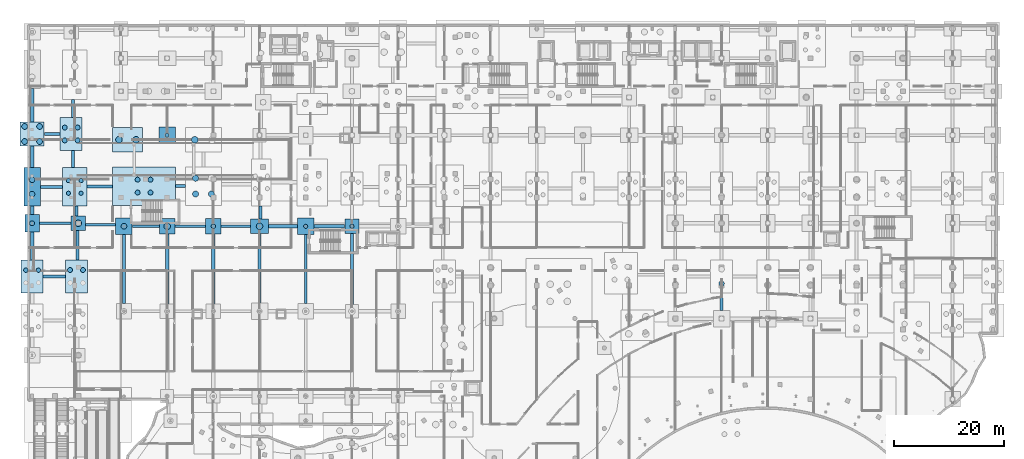
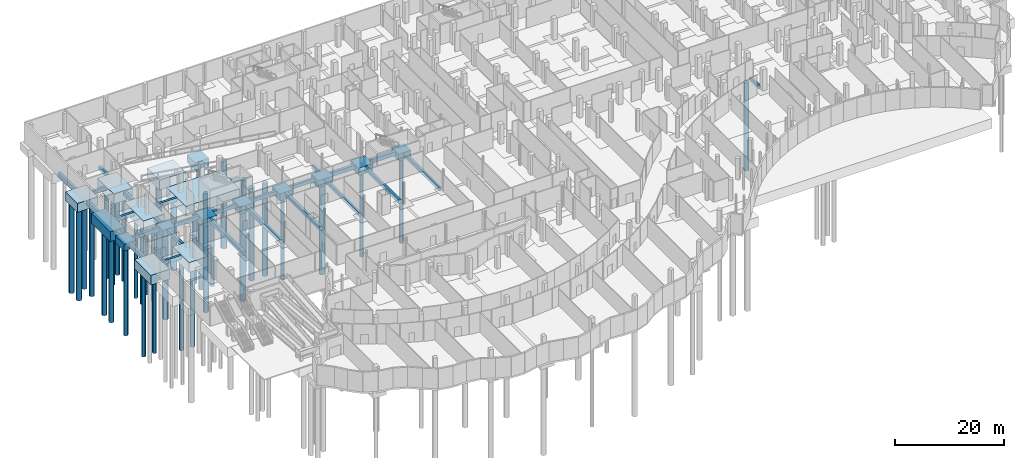
# One storey, part 3 of 45: 45 footings, 38 piles.
"""IFC4 building model written with IfcOpenShell, lengths in metres."""

from ifc_helpers import new_model, si_unit, direction, frame, origin, origin_2d, place, context, subcontext, project, spatial, rectangle, circle, extrude, material, material_profile, profile_set, type_object, element, save


model = new_model("IFC4")

# Units and contexts
model_context = context("Model", 3, precision=1e-05, world=origin(), true_north=direction((0.0, 1.0)))
body_context = subcontext(model_context, "Body", "Model", "MODEL_VIEW")
ifc_project = project(units=[si_unit("LENGTHUNIT", "METRE"), si_unit("AREAUNIT", "SQUARE_METRE"), si_unit("VOLUMEUNIT", "CUBIC_METRE"), si_unit("PLANEANGLEUNIT", "RADIAN"), si_unit("MASSUNIT", "GRAM", prefix="KILO")], contexts=[model_context])

# Site, building, storey
site_placement = place(None, origin())
site = spatial("IfcSite", under=ifc_project, at=site_placement, CompositionType="ELEMENT")
building_placement = place(site_placement, origin())
building = spatial("IfcBuilding", under=site, at=building_placement, Name="Selatvlak General Hospital", CompositionType="ELEMENT")
storey_placement = place(building_placement, frame((0.0, 0.0, -4.800048828125)))
storey = spatial("IfcBuildingStorey", under=building, at=storey_placement, Name="B1", CompositionType="ELEMENT", Elevation=-4.800048828125)

# Footings
ifc_material_1 = material(Name="Concrete C40/50", Category="concrete")
footing_type_1 = type_object("IfcFootingType", Name="FTG-PC-02", PredefinedType="PILE_CAP", material=ifc_material_1)
for number, where, z_axis, x_axis, name in (
    (1, (15.050048828125, 84.0, -1.5), (0.0, 0.0, 1.0), (1.0, 0.0, 0.0), "Pile cap CAP-019"),
    (2, (64.800048828125, 83.449951171875, -1.5), (0.0, 0.0, 1.0), (1.0, 0.0, 0.0), "Pile cap CAP-073"),
):
    element("IfcFooting", number, at=place(storey_placement, frame(where, z_axis=z_axis, x_axis=x_axis)), inside=storey, type_object=footing_type_1, Name=name, PredefinedType="PILE_CAP", context=body_context, shape_type="SweptSolid", body=[
        extrude(rectangle(XDim=2.60009765625, YDim=2.60009765625, at=origin_2d()), origin(), (0.0, 0.0, 1.0), 1.5),
    ])
footing_type_2 = type_object("IfcFootingType", Name="FTG-PC-03", PredefinedType="PILE_CAP", material=ifc_material_1)
for number, where, z_axis, x_axis, name in (
    (3, (31.199951171875, 83.449951171875, -1.60009765625), (0.0, 0.0, 1.0), (1.0, 0.0, 0.0), "Pile cap CAP-032"),
    (4, (39.60009765625, 83.449951171875, -1.60009765625), (0.0, 0.0, 1.0), (1.0, 0.0, 0.0), "Pile cap CAP-044"),
):
    element("IfcFooting", number, at=place(storey_placement, frame(where, z_axis=z_axis, x_axis=x_axis)), inside=storey, type_object=footing_type_2, Name=name, PredefinedType="PILE_CAP", context=body_context, shape_type="SweptSolid", body=[
        extrude(rectangle(XDim=2.800048828125, YDim=2.800048828125, at=origin_2d()), origin(), (0.0, 0.0, 1.0), 1.60009765625),
    ])
footing_type_3 = type_object("IfcFootingType", Name="FTG-PC-04", PredefinedType="PILE_CAP", material=ifc_material_1)
for number, where, z_axis, x_axis, name in (
    (5, (23.35009765625, 83.449951171875, -1.64990234375), (0.0, 0.0, 1.0), (1.0, 0.0, 0.0), "Pile cap CAP-027"),
    (6, (31.199951171875, 100.0, -1.64990234375), (0.0, 0.0, 1.0), (1.0, 0.0, 0.0), "Pile cap CAP-033"),
    (7, (56.39990234375, 83.449951171875, -1.64990234375), (0.0, 0.0, 1.0), (1.0, 0.0, 0.0), "Pile cap CAP-063"),
):
    element("IfcFooting", number, at=place(storey_placement, frame(where, z_axis=z_axis, x_axis=x_axis)), inside=storey, type_object=footing_type_3, Name=name, PredefinedType="PILE_CAP", context=body_context, shape_type="SweptSolid", body=[
        extrude(rectangle(XDim=3.0, YDim=3.0, at=origin_2d()), origin(), (0.0, 0.0, 1.0), 1.64990234375),
    ])
footing_type_4 = type_object("IfcFootingType", Name="FTG-PC-05", PredefinedType="PILE_CAP", material=ifc_material_1)
footing_1_placement = place(storey_placement, frame((48.0, 83.449951171875, -1.5498046875), z_axis=(0.0, 0.0, 1.0), x_axis=(1.0, 0.0, 0.0)))
element("IfcFooting", 8, at=footing_1_placement, inside=storey, type_object=footing_type_4, Name="Pile cap CAP-052", PredefinedType="PILE_CAP", context=body_context, shape_type="SweptSolid", body=[
    extrude(rectangle(XDim=3.199951171875, YDim=2.60009765625, at=origin_2d()), origin(), (0.0, 0.0, 1.0), 1.550048828125),
])
footing_type_5 = type_object("IfcFootingType", Name="FTG-PC-06", PredefinedType="PILE_CAP", material=ifc_material_1)
footing_2_placement = place(storey_placement, frame((6.64990234375, 84.0, -1.5498046875), z_axis=(0.0, 0.0, 1.0), x_axis=(1.0, 0.0, 0.0)))
element("IfcFooting", 9, at=footing_2_placement, inside=storey, type_object=footing_type_5, Name="Pile cap CAP-005", PredefinedType="PILE_CAP", context=body_context, shape_type="SweptSolid", body=[
    extrude(rectangle(XDim=2.60009765625, YDim=3.199951171875, at=origin_2d()), origin(), (0.0, 0.0, 1.0), 1.550048828125),
])
footing_type_6 = type_object("IfcFootingType", Name="FTG-PC-13", PredefinedType="PILE_CAP", material=ifc_material_1)
footing_3_placement = place(storey_placement, frame((6.64990234375, 100.22509765625, -2.0), z_axis=(0.0, 0.0, 1.0), x_axis=(1.0, 0.0, 0.0)))
element("IfcFooting", 10, at=footing_3_placement, inside=storey, type_object=footing_type_6, Name="Pile cap CAP-007", PredefinedType="PILE_CAP", context=body_context, shape_type="SweptSolid", body=[
    extrude(rectangle(XDim=4.39990234375, YDim=4.39990234375, at=origin_2d()), origin(), (0.0, 0.0, 1.0), 2.0),
])
footing_type_7 = type_object("IfcFootingType", Name="FTG-PC-20", PredefinedType="PILE_CAP", material=ifc_material_1)
for number, where, z_axis, x_axis, name in (
    (11, (6.64990234375, 74.324951171875, -2.19970703125), (0.0, 0.0, 1.0), (1.0, 0.0, 0.0), "Pile cap CAP-004"),
    (12, (13.75, 100.22509765625, -2.19970703125), (0.0, 0.0, 1.0), (1.0, 0.0, 0.0), "Pile cap CAP-011"),
    (13, (14.72509765625, 74.324951171875, -2.19970703125), (0.0, 0.0, 1.0), (1.0, 0.0, 0.0), "Pile cap CAP-015"),
):
    element("IfcFooting", number, at=place(storey_placement, frame(where, z_axis=z_axis, x_axis=x_axis)), inside=storey, type_object=footing_type_7, Name=name, PredefinedType="PILE_CAP", context=body_context, shape_type="SweptSolid", body=[
        extrude(rectangle(XDim=4.0, YDim=6.0, at=origin_2d()), origin(), (0.0, 0.0, 1.0), 2.199951171875),
    ])
footing_type_8 = type_object("IfcFootingType", Name="FTG-PC-M06", PredefinedType="PILE_CAP", material=ifc_material_1)
footing_4_placement = place(storey_placement, frame((6.64990234375, 90.60009765625, -2.19970703125), z_axis=(0.0, 0.0, 1.0), x_axis=(1.0, 0.0, 0.0)))
element("IfcFooting", 14, at=footing_4_placement, inside=storey, type_object=footing_type_8, Name="Pile cap CAP-006", PredefinedType="PILE_CAP", context=body_context, shape_type="SweptSolid", body=[
    extrude(rectangle(XDim=3.0, YDim=7.0, at=origin_2d()), origin(), (0.0, 0.0, 1.0), 2.199951171875),
])
footing_type_9 = type_object("IfcFootingType", Name="FTG-PC-M10", PredefinedType="PILE_CAP", material=ifc_material_1)
footing_5_placement = place(storey_placement, frame((14.39990234375, 90.60009765625, -2.19970703125), z_axis=(0.0, 0.0, 1.0), x_axis=(1.0, 0.0, 0.0)))
element("IfcFooting", 15, at=footing_5_placement, inside=storey, type_object=footing_type_9, Name="Pile cap CAP-010", PredefinedType="PILE_CAP", context=body_context, shape_type="SweptSolid", body=[
    extrude(rectangle(XDim=4.5, YDim=7.0, at=origin_2d()), origin(), (0.0, 0.0, 1.0), 2.199951171875),
])
footing_type_10 = type_object("IfcFootingType", Name="FTG-PC-M21", PredefinedType="PILE_CAP", material=ifc_material_1)
footing_6_placement = place(storey_placement, frame((27.0, 90.75, -2.19970703125), z_axis=(0.0, 0.0, 1.0), x_axis=(1.0, 0.0, 0.0)))
element("IfcFooting", 16, at=footing_6_placement, inside=storey, type_object=footing_type_10, Name="Pile cap CAP-021", PredefinedType="PILE_CAP", context=body_context, shape_type="SweptSolid", body=[
    extrude(rectangle(XDim=11.5, YDim=7.0, at=origin_2d()), origin(), (0.0, 0.0, 1.0), 2.199951171875),
])
footing_type_11 = type_object("IfcFootingType", Name="FTG-PC-M22", PredefinedType="PILE_CAP", material=ifc_material_1)
footing_7_placement = place(storey_placement, frame((24.0, 99.175048828125, -2.19970703125), z_axis=(0.0, 0.0, 1.0), x_axis=(1.0, 0.0, 0.0)))
element("IfcFooting", 17, at=footing_7_placement, inside=storey, type_object=footing_type_11, Name="Pile cap CAP-022", PredefinedType="PILE_CAP", context=body_context, shape_type="SweptSolid", body=[
    extrude(rectangle(XDim=5.5, YDim=4.5, at=origin_2d()), origin(), (0.0, 0.0, 1.0), 2.199951171875),
])
ifc_material_2 = material(Name="Concrete C35/45", Category="concrete")
footing_type_12 = type_object("IfcFootingType", Name="FTG-TB-02", PredefinedType="FOOTING_BEAM", material=ifc_material_2)
footing_8_placement = place(storey_placement, frame((10.85009765625, 84.0, -0.7998046875), z_axis=(0.0, 0.0, 1.0), x_axis=(1.0, 0.0, 0.0)))
element("IfcFooting", 18, at=footing_8_placement, inside=storey, type_object=footing_type_12, Name="Foundation tie beam TBF-008", PredefinedType="FOOTING_BEAM", context=body_context, shape_type="SweptSolid", body=[
    extrude(rectangle(XDim=5.780029296875, YDim=0.5, at=origin_2d()), origin(), (0.0, 0.0, 1.0), 0.800048828125),
])
footing_type_13 = type_object("IfcFootingType", Name="FTG-TB-04", PredefinedType="FOOTING_BEAM", material=ifc_material_2)
footing_9_placement = place(storey_placement, frame((10.68798828125, 74.324951171875, -0.7998046875), z_axis=(0.0, 0.0, 1.0), x_axis=(1.0, 0.0, 0.0)))
element("IfcFooting", 19, at=footing_9_placement, inside=storey, type_object=footing_type_13, Name="Foundation tie beam TBF-006", PredefinedType="FOOTING_BEAM", context=body_context, shape_type="SweptSolid", body=[
    extrude(rectangle(XDim=4.054931640625, YDim=0.5, at=origin_2d()), origin(), (0.0, 0.0, 1.0), 0.800048828125),
])
footing_type_14 = type_object("IfcFootingType", Name="FTG-TB-06", PredefinedType="FOOTING_BEAM", material=ifc_material_2)
footing_10_placement = place(storey_placement, frame((6.64990234375, 79.863037109375, -0.89990234375), z_axis=(0.0, 0.0, 1.0), x_axis=(0.0, 1.0, 0.0)))
element("IfcFooting", 20, at=footing_10_placement, inside=storey, type_object=footing_type_14, Name="Foundation tie beam TBF-007", PredefinedType="FOOTING_BEAM", context=body_context, shape_type="SweptSolid", body=[
    extrude(rectangle(XDim=5.054931640625, YDim=0.60009765625, at=origin_2d()), origin(), (0.0, 0.0, 1.0), 0.89990234375),
])
footing_type_15 = type_object("IfcFootingType", Name="FTG-TB-07", PredefinedType="FOOTING_BEAM", material=ifc_material_2)
footing_11_placement = place(storey_placement, frame((6.64990234375, 86.35009765625, -0.89990234375), z_axis=(0.0, 0.0, 1.0), x_axis=(0.0, 1.0, 0.0)))
element("IfcFooting", 21, at=footing_11_placement, inside=storey, type_object=footing_type_15, Name="Foundation tie beam TBF-009", PredefinedType="FOOTING_BEAM", context=body_context, shape_type="SweptSolid", body=[
    extrude(rectangle(XDim=1.47998046875, YDim=0.60009765625, at=origin_2d()), origin(), (0.0, 0.0, 1.0), 0.89990234375),
])
footing_type_16 = type_object("IfcFootingType", Name="FTG-TB-08", PredefinedType="FOOTING_BEAM", material=ifc_material_2)
footing_12_placement = place(storey_placement, frame((10.14990234375, 90.60009765625, -0.7998046875), z_axis=(0.0, 0.0, 1.0), x_axis=(1.0, 0.0, 0.0)))
element("IfcFooting", 22, at=footing_12_placement, inside=storey, type_object=footing_type_16, Name="Foundation tie beam TBF-010", PredefinedType="FOOTING_BEAM", context=body_context, shape_type="SweptSolid", body=[
    extrude(rectangle(XDim=3.97998046875, YDim=0.5, at=origin_2d()), origin(), (0.0, 0.0, 1.0), 0.800048828125),
])
footing_type_17 = type_object("IfcFootingType", Name="FTG-TB-09", PredefinedType="FOOTING_BEAM", material=ifc_material_2)
footing_13_placement = place(storey_placement, frame((6.64990234375, 96.06201171875, -0.89990234375), z_axis=(0.0, 0.0, 1.0), x_axis=(0.0, 1.0, 0.0)))
element("IfcFooting", 23, at=footing_13_placement, inside=storey, type_object=footing_type_17, Name="Foundation tie beam TBF-011", PredefinedType="FOOTING_BEAM", context=body_context, shape_type="SweptSolid", body=[
    extrude(rectangle(XDim=3.905029296875, YDim=0.60009765625, at=origin_2d()), origin(), (0.0, 0.0, 1.0), 0.89990234375),
])
footing_type_18 = type_object("IfcFootingType", Name="FTG-TB-10", PredefinedType="FOOTING_BEAM", material=ifc_material_2)
footing_14_placement = place(storey_placement, frame((10.300048828125, 100.22509765625, -0.7998046875), z_axis=(0.0, 0.0, 1.0), x_axis=(1.0, 0.0, 0.0)))
element("IfcFooting", 24, at=footing_14_placement, inside=storey, type_object=footing_type_18, Name="Foundation tie beam TBF-012", PredefinedType="FOOTING_BEAM", context=body_context, shape_type="SweptSolid", body=[
    extrude(rectangle(XDim=2.8798828125, YDim=0.5, at=origin_2d()), origin(), (0.0, 0.0, 1.0), 0.800048828125),
])
footing_type_19 = type_object("IfcFootingType", Name="FTG-TB-11", PredefinedType="FOOTING_BEAM", material=ifc_material_2)
footing_15_placement = place(storey_placement, frame((6.64990234375, 105.462890625, -0.89990234375), z_axis=(0.0, 0.0, 1.0), x_axis=(0.0, 1.0, 0.0)))
element("IfcFooting", 25, at=footing_15_placement, inside=storey, type_object=footing_type_19, Name="Foundation tie beam TBF-013", PredefinedType="FOOTING_BEAM", context=body_context, shape_type="SweptSolid", body=[
    extrude(rectangle(XDim=6.054931640625, YDim=0.60009765625, at=origin_2d()), origin(), (0.0, 0.0, 1.0), 0.89990234375),
])
footing_type_20 = type_object("IfcFootingType", Name="FTG-TB-12", PredefinedType="FOOTING_BEAM", material=ifc_material_2)
footing_16_placement = place(storey_placement, frame((33.64990234375, 90.75, -0.7998046875), z_axis=(0.0, 0.0, 1.0), x_axis=(1.0, 0.0, 0.0)))
element("IfcFooting", 26, at=footing_16_placement, inside=storey, type_object=footing_type_20, Name="Foundation tie beam TBF-026", PredefinedType="FOOTING_BEAM", context=body_context, shape_type="SweptSolid", body=[
    extrude(rectangle(XDim=1.780029296875, YDim=0.5, at=origin_2d()), origin(), (0.0, 0.0, 1.0), 0.800048828125),
])
footing_type_21 = type_object("IfcFootingType", Name="FTG-TB-14", PredefinedType="FOOTING_BEAM", material=ifc_material_2)
footing_17_placement = place(storey_placement, frame((18.949951171875, 90.675048828125, -0.7998046875), z_axis=(0.0, 0.0, 1.0), x_axis=(1.0, 0.0, 0.0)))
element("IfcFooting", 27, at=footing_17_placement, inside=storey, type_object=footing_type_21, Name="Foundation tie beam TBF-016", PredefinedType="FOOTING_BEAM", context=body_context, shape_type="SweptSolid", body=[
    extrude(rectangle(XDim=4.580078125, YDim=0.5, at=origin_2d()), origin(), (0.0, 0.0, 1.0), 0.800048828125),
])
footing_type_22 = type_object("IfcFootingType", Name="FTG-TB-15", PredefinedType="FOOTING_BEAM", material=ifc_material_2)
footing_18_placement = place(storey_placement, frame((14.074951171875, 95.662109375, -0.89990234375), z_axis=(0.0, 0.0, 1.0), x_axis=(0.0, 1.0, 0.0)))
element("IfcFooting", 28, at=footing_18_placement, inside=storey, type_object=footing_type_22, Name="Foundation tie beam TBF-017", PredefinedType="FOOTING_BEAM", context=body_context, shape_type="SweptSolid", body=[
    extrude(rectangle(XDim=3.10498046875, YDim=0.60009765625, at=origin_2d()), origin(), (0.0, 0.0, 1.0), 0.89990234375),
])
footing_type_23 = type_object("IfcFootingType", Name="FTG-TB-16", PredefinedType="FOOTING_BEAM", material=ifc_material_2)
footing_19_placement = place(storey_placement, frame((14.074951171875, 104.862060546875, -0.7998046875), z_axis=(0.0, 0.0, 1.0), x_axis=(0.0, 1.0, 0.0)))
element("IfcFooting", 29, at=footing_19_placement, inside=storey, type_object=footing_type_23, Name="Foundation tie beam TBF-018", PredefinedType="FOOTING_BEAM", context=body_context, shape_type="SweptSolid", body=[
    extrude(rectangle(XDim=3.2548828125, YDim=0.5, at=origin_2d()), origin(), (0.0, 0.0, 1.0), 0.800048828125),
])
footing_type_24 = type_object("IfcFootingType", Name="FTG-TB-18", PredefinedType="FOOTING_BEAM", material=ifc_material_2)
footing_20_placement = place(storey_placement, frame((14.886962890625, 80.012939453125, -0.7998046875), z_axis=(0.0, 0.0, 1.0), x_axis=(0.0, 1.0, 0.0)))
element("IfcFooting", 30, at=footing_20_placement, inside=storey, type_object=footing_type_24, Name="Foundation tie beam TBF-022", PredefinedType="FOOTING_BEAM", context=body_context, shape_type="SweptSolid", body=[
    extrude(rectangle(XDim=5.35498046875, YDim=0.5, at=origin_2d()), origin(), (0.0, 0.0, 1.0), 0.800048828125),
])
footing_type_25 = type_object("IfcFootingType", Name="FTG-TB-20", PredefinedType="FOOTING_BEAM", material=ifc_material_2)
footing_21_placement = place(storey_placement, frame((19.10009765625, 83.72509765625, -0.7998046875), z_axis=(0.0, 0.0, 1.0), x_axis=(1.0, 0.0, 0.0)))
element("IfcFooting", 31, at=footing_21_placement, inside=storey, type_object=footing_type_25, Name="Foundation tie beam TBF-024", PredefinedType="FOOTING_BEAM", context=body_context, shape_type="SweptSolid", body=[
    extrude(rectangle(XDim=5.47998046875, YDim=0.5, at=origin_2d()), origin(), (0.0, 0.0, 1.0), 0.800048828125),
])
footing_type_26 = type_object("IfcFootingType", Name="FTG-TB-21", PredefinedType="FOOTING_BEAM", material=ifc_material_2)
footing_22_placement = place(storey_placement, frame((14.72509765625, 86.199951171875, -0.89990234375), z_axis=(0.0, 0.0, 1.0), x_axis=(0.0, 1.0, 0.0)))
element("IfcFooting", 32, at=footing_22_placement, inside=storey, type_object=footing_type_26, Name="Foundation tie beam TBF-025", PredefinedType="FOOTING_BEAM", context=body_context, shape_type="SweptSolid", body=[
    extrude(rectangle(XDim=1.780029296875, YDim=0.60009765625, at=origin_2d()), origin(), (0.0, 0.0, 1.0), 0.89990234375),
])
footing_type_27 = type_object("IfcFootingType", Name="FTG-TB-24", PredefinedType="FOOTING_BEAM", material=ifc_material_2)
footing_23_placement = place(storey_placement, frame((60.699951171875, 83.449951171875, -0.89990234375), z_axis=(0.0, 0.0, 1.0), x_axis=(1.0, 0.0, 0.0)))
element("IfcFooting", 33, at=footing_23_placement, inside=storey, type_object=footing_type_27, Name="Foundation tie beam TBF-075", PredefinedType="FOOTING_BEAM", context=body_context, shape_type="SweptSolid", body=[
    extrude(rectangle(XDim=5.580078125, YDim=0.60009765625, at=origin_2d()), origin(), (0.0, 0.0, 1.0), 0.89990234375),
])
footing_type_28 = type_object("IfcFootingType", Name="FTG-TB-28", PredefinedType="FOOTING_BEAM", material=ifc_material_2)
footing_24_placement = place(storey_placement, frame((23.35009765625, 75.675048828125, -0.89990234375), z_axis=(0.0, 0.0, 1.0), x_axis=(0.0, 1.0, 0.0)))
element("IfcFooting", 34, at=footing_24_placement, inside=storey, type_object=footing_type_28, Name="Foundation tie beam TBF-033", PredefinedType="FOOTING_BEAM", context=body_context, shape_type="SweptSolid", body=[
    extrude(rectangle(XDim=12.530029296875, YDim=0.60009765625, at=origin_2d()), origin(), (0.0, 0.0, 1.0), 0.89990234375),
])
footing_type_29 = type_object("IfcFootingType", Name="FTG-TB-29", PredefinedType="FOOTING_BEAM", material=ifc_material_2)
footing_25_placement = place(storey_placement, frame((27.324951171875, 83.449951171875, -0.7998046875), z_axis=(0.0, 0.0, 1.0), x_axis=(1.0, 0.0, 0.0)))
element("IfcFooting", 35, at=footing_25_placement, inside=storey, type_object=footing_type_29, Name="Foundation tie beam TBF-034", PredefinedType="FOOTING_BEAM", context=body_context, shape_type="SweptSolid", body=[
    extrude(rectangle(XDim=4.929931640625, YDim=0.5, at=origin_2d()), origin(), (0.0, 0.0, 1.0), 0.800048828125),
])
footing_type_30 = type_object("IfcFootingType", Name="FTG-TB-33", PredefinedType="FOOTING_BEAM", material=ifc_material_2)
for number, where, z_axis, x_axis, name in (
    (36, (31.199951171875, 75.675048828125, -0.89990234375), (0.0, 0.0, 1.0), (0.0, 1.0, 0.0), "Foundation tie beam TBF-039"),
    (37, (39.60009765625, 75.675048828125, -0.89990234375), (0.0, 0.0, 1.0), (0.0, 1.0, 0.0), "Foundation tie beam TBF-049"),
):
    element("IfcFooting", number, at=place(storey_placement, frame(where, z_axis=z_axis, x_axis=x_axis)), inside=storey, type_object=footing_type_30, Name=name, PredefinedType="FOOTING_BEAM", context=body_context, shape_type="SweptSolid", body=[
        extrude(rectangle(XDim=12.72998046875, YDim=0.60009765625, at=origin_2d()), origin(), (0.0, 0.0, 1.0), 0.89990234375),
    ])
footing_type_31 = type_object("IfcFootingType", Name="FTG-TB-34", PredefinedType="FOOTING_BEAM", material=ifc_material_2)
footing_26_placement = place(storey_placement, frame((35.39990234375, 83.449951171875, -0.7998046875), z_axis=(0.0, 0.0, 1.0), x_axis=(1.0, 0.0, 0.0)))
element("IfcFooting", 38, at=footing_26_placement, inside=storey, type_object=footing_type_31, Name="Foundation tie beam TBF-040", PredefinedType="FOOTING_BEAM", context=body_context, shape_type="SweptSolid", body=[
    extrude(rectangle(XDim=5.580078125, YDim=0.5, at=origin_2d()), origin(), (0.0, 0.0, 1.0), 0.800048828125),
])
footing_type_32 = type_object("IfcFootingType", Name="FTG-TB-40", PredefinedType="FOOTING_BEAM", material=ifc_material_2)
footing_27_placement = place(storey_placement, frame((43.699951171875, 83.449951171875, -0.7998046875), z_axis=(0.0, 0.0, 1.0), x_axis=(1.0, 0.0, 0.0)))
element("IfcFooting", 39, at=footing_27_placement, inside=storey, type_object=footing_type_32, Name="Foundation tie beam TBF-050", PredefinedType="FOOTING_BEAM", context=body_context, shape_type="SweptSolid", body=[
    extrude(rectangle(XDim=5.3798828125, YDim=0.5, at=origin_2d()), origin(), (0.0, 0.0, 1.0), 0.800048828125),
])
footing_type_33 = type_object("IfcFootingType", Name="FTG-TB-44", PredefinedType="FOOTING_BEAM", material=ifc_material_2)
footing_28_placement = place(storey_placement, frame((56.39990234375, 75.675048828125, -0.7998046875), z_axis=(0.0, 0.0, 1.0), x_axis=(0.0, 1.0, 0.0)))
element("IfcFooting", 40, at=footing_28_placement, inside=storey, type_object=footing_type_33, Name="Foundation tie beam TBF-074", PredefinedType="FOOTING_BEAM", context=body_context, shape_type="SweptSolid", body=[
    extrude(rectangle(XDim=12.530029296875, YDim=0.5, at=origin_2d()), origin(), (0.0, 0.0, 1.0), 0.800048828125),
])
footing_type_34 = type_object("IfcFootingType", Name="FTG-TB-46", PredefinedType="FOOTING_BEAM", material=ifc_material_2)
footing_29_placement = place(storey_placement, frame((48.0, 75.824951171875, -0.7998046875), z_axis=(0.0, 0.0, 1.0), x_axis=(0.0, 1.0, 0.0)))
element("IfcFooting", 41, at=footing_29_placement, inside=storey, type_object=footing_type_34, Name="Foundation tie beam TBF-056", PredefinedType="FOOTING_BEAM", context=body_context, shape_type="SweptSolid", body=[
    extrude(rectangle(XDim=12.6298828125, YDim=0.5, at=origin_2d()), origin(), (0.0, 0.0, 1.0), 0.800048828125),
])
footing_type_35 = type_object("IfcFootingType", Name="FTG-TB-47", PredefinedType="FOOTING_BEAM", material=ifc_material_2)
footing_30_placement = place(storey_placement, frame((52.25, 83.449951171875, -0.89990234375), z_axis=(0.0, 0.0, 1.0), x_axis=(1.0, 0.0, 0.0)))
element("IfcFooting", 42, at=footing_30_placement, inside=storey, type_object=footing_type_35, Name="Foundation tie beam TBF-057", PredefinedType="FOOTING_BEAM", context=body_context, shape_type="SweptSolid", body=[
    extrude(rectangle(XDim=5.280029296875, YDim=0.60009765625, at=origin_2d()), origin(), (0.0, 0.0, 1.0), 0.89990234375),
])
footing_type_36 = type_object("IfcFootingType", Name="FTG-TB-48", PredefinedType="FOOTING_BEAM", material=ifc_material_2)
footing_31_placement = place(storey_placement, frame((48.1630859375, 85.962890625, -0.7998046875), z_axis=(0.0, 0.0, 1.0), x_axis=(0.0, 1.0, 0.0)))
element("IfcFooting", 43, at=footing_31_placement, inside=storey, type_object=footing_type_36, Name="Foundation tie beam TBF-058", PredefinedType="FOOTING_BEAM", context=body_context, shape_type="SweptSolid", body=[
    extrude(rectangle(XDim=2.405029296875, YDim=0.5, at=origin_2d()), origin(), (0.0, 0.0, 1.0), 0.800048828125),
])
footing_type_37 = type_object("IfcFootingType", Name="FTG-TB-64", PredefinedType="FOOTING_BEAM", material=ifc_material_2)
footing_32_placement = place(storey_placement, frame((64.800048828125, 75.675048828125, -0.7998046875), z_axis=(0.0, 0.0, 1.0), x_axis=(0.0, 1.0, 0.0)))
element("IfcFooting", 44, at=footing_32_placement, inside=storey, type_object=footing_type_37, Name="Foundation tie beam TBF-082", PredefinedType="FOOTING_BEAM", context=body_context, shape_type="SweptSolid", body=[
    extrude(rectangle(XDim=12.929931640625, YDim=0.5, at=origin_2d()), origin(), (0.0, 0.0, 1.0), 0.800048828125),
])
footing_type_38 = type_object("IfcFootingType", Name="FTG-TB-92", PredefinedType="FOOTING_BEAM", material=ifc_material_2)
footing_33_placement = place(storey_placement, frame((132.0, 69.738037109375, -0.7998046875), z_axis=(0.0, 0.0, 1.0), x_axis=(0.0, 1.0, 0.0)))
element("IfcFooting", 45, at=footing_33_placement, inside=storey, type_object=footing_type_38, Name="Foundation tie beam TBF-142", PredefinedType="FOOTING_BEAM", context=body_context, shape_type="SweptSolid", body=[
    extrude(rectangle(XDim=3.155029296875, YDim=0.5, at=origin_2d()), origin(), (0.0, 0.0, 1.0), 0.800048828125),
])

# Piles
ifc_material_profile_1 = material_profile(ifc_material_1, circle(Radius=0.375, at=origin_2d()), Name="BORED PILE 750")
ifc_profile_set_1 = profile_set([ifc_material_profile_1], Name="Concrete C40/50")
pile_type_1 = type_object("IfcPileType", Name="PILE-BP-01", PredefinedType="BORED", material=ifc_profile_set_1)
for number, where, z_axis, x_axis, name in (
    (46, (13.25, 89.449951171875, -2.099853515625), (0.0, 0.0, -1.0), (1.0, 0.0, 0.0), "Bored pile PLF-0024"),
    (47, (13.25, 91.75, -2.099853515625), (0.0, 0.0, -1.0), (1.0, 0.0, 0.0), "Bored pile PLF-0025"),
    (48, (15.550048828125, 89.449951171875, -2.099853515625), (0.0, 0.0, -1.0), (1.0, 0.0, 0.0), "Bored pile PLF-0026"),
    (49, (15.550048828125, 91.75, -2.099853515625), (0.0, 0.0, -1.0), (1.0, 0.0, 0.0), "Bored pile PLF-0027"),
):
    element("IfcPile", number, at=place(storey_placement, frame(where, z_axis=z_axis, x_axis=x_axis)), inside=storey, type_object=pile_type_1, Name=name, PredefinedType="BORED", context=body_context, shape_type="SweptSolid", body=[
        extrude(circle(Radius=0.375, at=origin_2d()), origin(), (0.0, 0.0, 1.0), 18.199951171875),
    ])
ifc_material_profile_2 = material_profile(ifc_material_1, circle(Radius=0.449951171875, at=origin_2d()), Name="BORED PILE 900")
ifc_profile_set_2 = profile_set([ifc_material_profile_2], Name="Concrete C40/50")
pile_type_2 = type_object("IfcPileType", Name="PILE-BP-02", PredefinedType="BORED", material=ifc_profile_set_2)
for number, where, z_axis, x_axis, name in (
    (50, (12.580078125, 99.054931640625, -2.099853515625), (0.0, 0.0, -1.0), (1.0, 0.0, 0.0), "Bored pile PLF-0028"),
    (51, (12.580078125, 101.39501953125, -2.099853515625), (0.0, 0.0, -1.0), (1.0, 0.0, 0.0), "Bored pile PLF-0029"),
    (52, (14.919921875, 99.054931640625, -2.099853515625), (0.0, 0.0, -1.0), (1.0, 0.0, 0.0), "Bored pile PLF-0030"),
    (53, (14.919921875, 101.39501953125, -2.099853515625), (0.0, 0.0, -1.0), (1.0, 0.0, 0.0), "Bored pile PLF-0031"),
    (54, (25.830078125, 89.580078125, -2.099853515625), (0.0, 0.0, -1.0), (1.0, 0.0, 0.0), "Bored pile PLF-0051"),
    (55, (25.830078125, 91.919921875, -2.099853515625), (0.0, 0.0, -1.0), (1.0, 0.0, 0.0), "Bored pile PLF-0052"),
    (56, (28.169921875, 89.580078125, -2.099853515625), (0.0, 0.0, -1.0), (1.0, 0.0, 0.0), "Bored pile PLF-0053"),
    (57, (28.169921875, 91.919921875, -2.099853515625), (0.0, 0.0, -1.0), (1.0, 0.0, 0.0), "Bored pile PLF-0054"),
):
    element("IfcPile", number, at=place(storey_placement, frame(where, z_axis=z_axis, x_axis=x_axis)), inside=storey, type_object=pile_type_2, Name=name, PredefinedType="BORED", context=body_context, shape_type="SweptSolid", body=[
        extrude(circle(Radius=0.449951171875, at=origin_2d()), origin(), (0.0, 0.0, 1.0), 19.39990234375),
    ])
ifc_material_profile_3 = material_profile(ifc_material_1, circle(Radius=0.60009765625, at=origin_2d()), Name="BORED PILE 1200")
ifc_profile_set_3 = profile_set([ifc_material_profile_3], Name="Concrete C40/50")
pile_type_3 = type_object("IfcPileType", Name="PILE-BP-03", PredefinedType="BORED", material=ifc_profile_set_3)
for number, where, z_axis, x_axis, name in (
    (58, (22.43994140625, 99.175048828125, -2.099853515625), (0.0, 0.0, -1.0), (1.0, 0.0, 0.0), "Bored pile PLF-0055"),
    (59, (25.56005859375, 99.175048828125, -2.099853515625), (0.0, 0.0, -1.0), (1.0, 0.0, 0.0), "Bored pile PLF-0056"),
    (60, (31.199951171875, 83.449951171875, -1.5), (0.0, 0.0, -1.0), (1.0, 0.0, 0.0), "Bored pile PLF-0067"),
    (61, (48.0, 83.449951171875, -1.449951171875), (0.0, 0.0, -1.0), (1.0, 0.0, 0.0), "Bored pile PLF-0096"),
):
    element("IfcPile", number, at=place(storey_placement, frame(where, z_axis=z_axis, x_axis=x_axis)), inside=storey, type_object=pile_type_3, Name=name, PredefinedType="BORED", context=body_context, shape_type="SweptSolid", body=[
        extrude(circle(Radius=0.60009765625, at=origin_2d()), origin(), (0.0, 0.0, 1.0), 20.60009765625),
    ])
ifc_material_profile_4 = material_profile(ifc_material_1, circle(Radius=0.375, at=origin_2d()), Name="BORED PILE 750")
ifc_profile_set_4 = profile_set([ifc_material_profile_4], Name="Concrete C40/50")
pile_type_4 = type_object("IfcPileType", Name="PILE-BP-04", PredefinedType="BORED", material=ifc_profile_set_4)
for number, where, z_axis, x_axis, name in (
    (62, (31.199951171875, 100.0, -1.550048828125), (0.0, 0.0, -1.0), (1.0, 0.0, 0.0), "Bored pile PLF-0068"),
    (63, (56.39990234375, 83.449951171875, -1.550048828125), (0.0, 0.0, -1.0), (1.0, 0.0, 0.0), "Bored pile PLF-0111"),
    (64, (64.800048828125, 83.449951171875, -1.39990234375), (0.0, 0.0, -1.0), (1.0, 0.0, 0.0), "Bored pile PLF-0131"),
):
    element("IfcPile", number, at=place(storey_placement, frame(where, z_axis=z_axis, x_axis=x_axis)), inside=storey, type_object=pile_type_4, Name=name, PredefinedType="BORED", context=body_context, shape_type="SweptSolid", body=[
        extrude(circle(Radius=0.375, at=origin_2d()), origin(), (0.0, 0.0, 1.0), 19.60009765625),
    ])
ifc_material_profile_5 = material_profile(ifc_material_1, circle(Radius=0.39990234375, at=origin_2d()), Name="BORED PILE 800")
ifc_profile_set_5 = profile_set([ifc_material_profile_5], Name="Concrete C40/50")
pile_type_5 = type_object("IfcPileType", Name="PILE-BP-05", PredefinedType="BORED", material=ifc_profile_set_5)
for number, where, z_axis, x_axis, name in (
    (65, (5.5, 75.47509765625, -2.099853515625), (0.0, 0.0, -1.0), (1.0, 0.0, 0.0), "Bored pile PLF-0011"),
    (66, (7.800048828125, 75.47509765625, -2.099853515625), (0.0, 0.0, -1.0), (1.0, 0.0, 0.0), "Bored pile PLF-0013"),
    (67, (39.60009765625, 83.449951171875, -1.5), (0.0, 0.0, -1.0), (1.0, 0.0, 0.0), "Bored pile PLF-0087"),
):
    element("IfcPile", number, at=place(storey_placement, frame(where, z_axis=z_axis, x_axis=x_axis)), inside=storey, type_object=pile_type_5, Name=name, PredefinedType="BORED", context=body_context, shape_type="SweptSolid", body=[
        extrude(circle(Radius=0.39990234375, at=origin_2d()), origin(), (0.0, 0.0, 1.0), 18.800048828125),
    ])
ifc_material_profile_6 = material_profile(ifc_material_1, circle(Radius=0.449951171875, at=origin_2d()), Name="BORED PILE 900")
ifc_profile_set_6 = profile_set([ifc_material_profile_6], Name="Concrete C40/50")
pile_type_6 = type_object("IfcPileType", Name="PILE-BP-06", PredefinedType="BORED", material=ifc_profile_set_6)
for number, where, z_axis, x_axis, name in (
    (68, (6.64990234375, 84.0, -1.449951171875), (0.0, 0.0, -1.0), (1.0, 0.0, 0.0), "Bored pile PLF-0014"),
    (69, (13.554931640625, 75.4951171875, -2.099853515625), (0.0, 0.0, -1.0), (1.0, 0.0, 0.0), "Bored pile PLF-0040"),
    (70, (15.89501953125, 75.4951171875, -2.099853515625), (0.0, 0.0, -1.0), (1.0, 0.0, 0.0), "Bored pile PLF-0042"),
):
    element("IfcPile", number, at=place(storey_placement, frame(where, z_axis=z_axis, x_axis=x_axis)), inside=storey, type_object=pile_type_6, Name=name, PredefinedType="BORED", context=body_context, shape_type="SweptSolid", body=[
        extrude(circle(Radius=0.449951171875, at=origin_2d()), origin(), (0.0, 0.0, 1.0), 20.199951171875),
    ])
ifc_material_profile_7 = material_profile(ifc_material_1, circle(Radius=0.5, at=origin_2d()), Name="BORED PILE 1000")
ifc_profile_set_7 = profile_set([ifc_material_profile_7], Name="Concrete C40/50")
pile_type_7 = type_object("IfcPileType", Name="PILE-BP-07", PredefinedType="BORED", material=ifc_profile_set_7)
for number, where, z_axis, x_axis, name in (
    (71, (6.64990234375, 89.300048828125, -2.099853515625), (0.0, 0.0, -1.0), (1.0, 0.0, 0.0), "Bored pile PLF-0015"),
    (72, (6.64990234375, 91.89990234375, -2.099853515625), (0.0, 0.0, -1.0), (1.0, 0.0, 0.0), "Bored pile PLF-0016"),
    (73, (132.0, 73.02490234375, -2.099853515625), (0.0, 0.0, -1.0), (1.0, 0.0, 0.0), "Bored pile PLF-0258"),
):
    element("IfcPile", number, at=place(storey_placement, frame(where, z_axis=z_axis, x_axis=x_axis)), inside=storey, type_object=pile_type_7, Name=name, PredefinedType="BORED", context=body_context, shape_type="SweptSolid", body=[
        extrude(circle(Radius=0.5, at=origin_2d()), origin(), (0.0, 0.0, 1.0), 19.800048828125),
    ])
ifc_material_profile_8 = material_profile(ifc_material_1, circle(Radius=0.52490234375, at=origin_2d()), Name="BORED PILE 1050")
ifc_profile_set_8 = profile_set([ifc_material_profile_8], Name="Concrete C40/50")
pile_type_8 = type_object("IfcPileType", Name="PILE-BP-08", PredefinedType="BORED", material=ifc_profile_set_8)
for number, where, z_axis, x_axis, name in (
    (74, (5.284912109375, 98.860107421875, -1.89990234375), (0.0, 0.0, -1.0), (1.0, 0.0, 0.0), "Bored pile PLF-0017"),
    (75, (5.284912109375, 101.590087890625, -1.89990234375), (0.0, 0.0, -1.0), (1.0, 0.0, 0.0), "Bored pile PLF-0018"),
    (76, (8.014892578125, 98.860107421875, -1.89990234375), (0.0, 0.0, -1.0), (1.0, 0.0, 0.0), "Bored pile PLF-0019"),
    (77, (8.014892578125, 101.590087890625, -1.89990234375), (0.0, 0.0, -1.0), (1.0, 0.0, 0.0), "Bored pile PLF-0020"),
    (78, (23.35009765625, 83.449951171875, -1.550048828125), (0.0, 0.0, -1.0), (1.0, 0.0, 0.0), "Bored pile PLF-0061"),
):
    element("IfcPile", number, at=place(storey_placement, frame(where, z_axis=z_axis, x_axis=x_axis)), inside=storey, type_object=pile_type_8, Name=name, PredefinedType="BORED", context=body_context, shape_type="SweptSolid", body=[
        extrude(circle(Radius=0.52490234375, at=origin_2d()), origin(), (0.0, 0.0, 1.0), 20.39990234375),
    ])
ifc_material_profile_9 = material_profile(ifc_material_1, circle(Radius=0.550048828125, at=origin_2d()), Name="BORED PILE 1100")
ifc_profile_set_9 = profile_set([ifc_material_profile_9], Name="Concrete C40/50")
pile_type_9 = type_object("IfcPileType", Name="PILE-BP-09", PredefinedType="BORED", material=ifc_profile_set_9)
for number, where, z_axis, x_axis, name in (
    (79, (36.3701171875, 89.320068359375, -2.099853515625), (0.0, 0.0, -1.0), (1.0, 0.0, 0.0), "Bored pile PLF-0074"),
    (80, (36.3701171875, 92.179931640625, -2.099853515625), (0.0, 0.0, -1.0), (1.0, 0.0, 0.0), "Bored pile PLF-0075"),
    (81, (39.22998046875, 89.320068359375, -2.099853515625), (0.0, 0.0, -1.0), (1.0, 0.0, 0.0), "Bored pile PLF-0076"),
):
    element("IfcPile", number, at=place(storey_placement, frame(where, z_axis=z_axis, x_axis=x_axis)), inside=storey, type_object=pile_type_9, Name=name, PredefinedType="BORED", context=body_context, shape_type="SweptSolid", body=[
        extrude(circle(Radius=0.550048828125, at=origin_2d()), origin(), (0.0, 0.0, 1.0), 20.800048828125),
    ])
ifc_material_profile_10 = material_profile(ifc_material_1, circle(Radius=0.60009765625, at=origin_2d()), Name="BORED PILE 1200")
ifc_profile_set_10 = profile_set([ifc_material_profile_10], Name="Concrete C40/50")
pile_type_10 = type_object("IfcPileType", Name="PILE-BP-10", PredefinedType="BORED", material=ifc_profile_set_10)
for number, where, z_axis, x_axis, name in (
    (82, (15.050048828125, 84.0, -1.39990234375), (0.0, 0.0, -1.0), (1.0, 0.0, 0.0), "Bored pile PLF-0049"),
    (83, (36.239990234375, 99.175048828125, -2.099853515625), (0.0, 0.0, -1.0), (1.0, 0.0, 0.0), "Bored pile PLF-0078"),
):
    element("IfcPile", number, at=place(storey_placement, frame(where, z_axis=z_axis, x_axis=x_axis)), inside=storey, type_object=pile_type_10, Name=name, PredefinedType="BORED", context=body_context, shape_type="SweptSolid", body=[
        extrude(circle(Radius=0.60009765625, at=origin_2d()), origin(), (0.0, 0.0, 1.0), 19.5),
    ])

save(model, "model.ifc")
